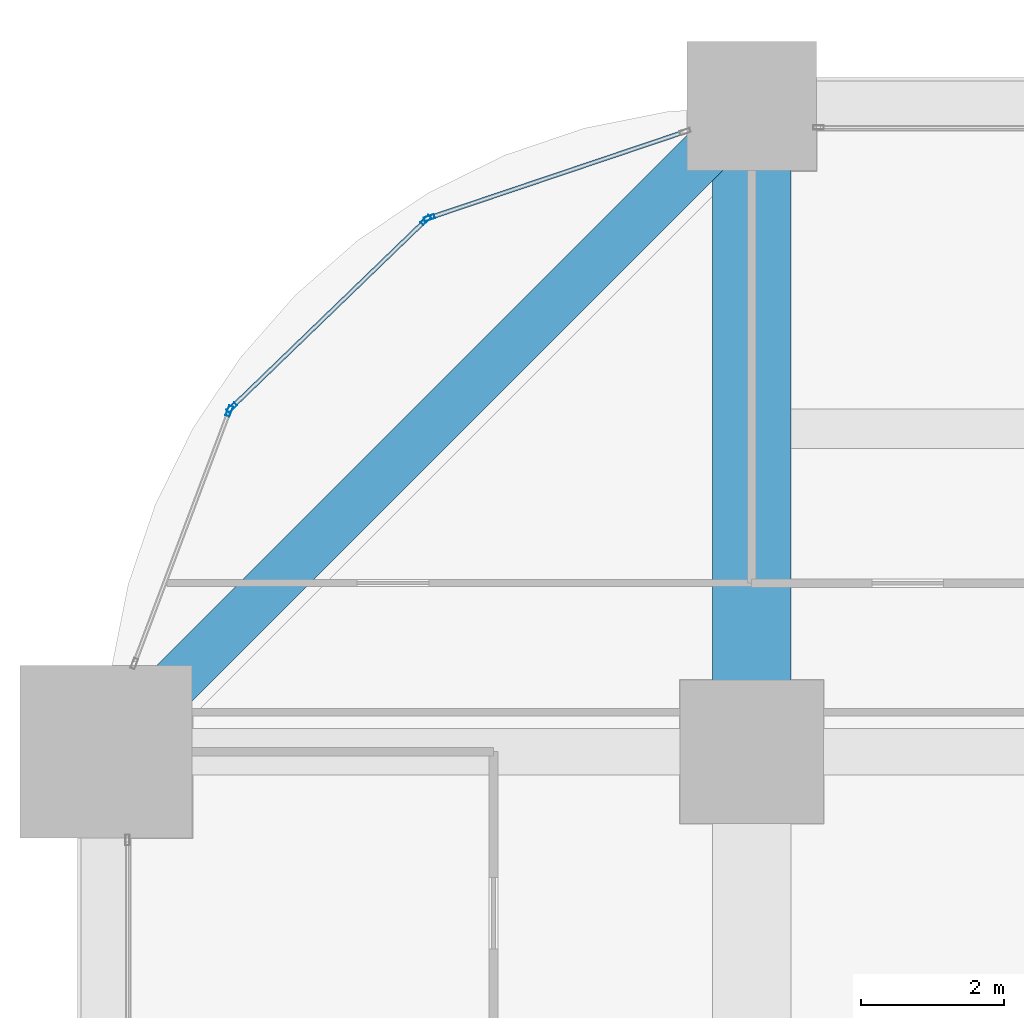
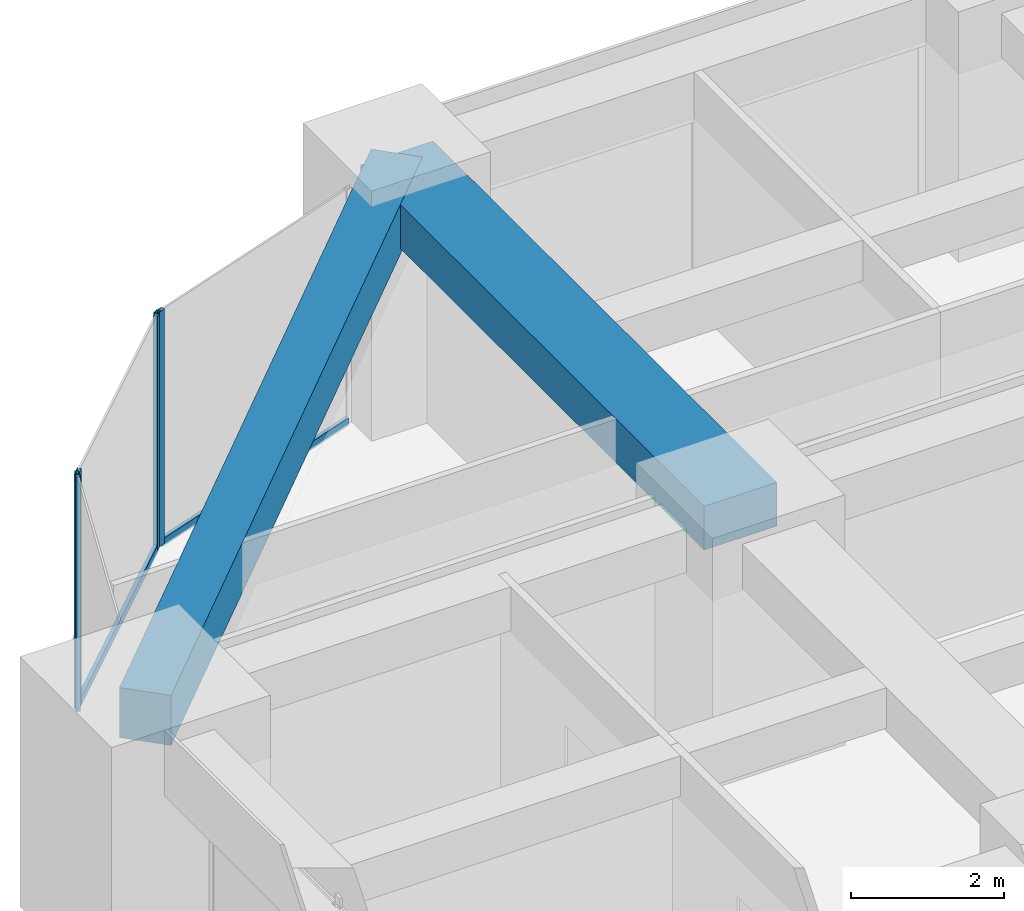
# One storey, part 26 of 41: 6 members, 2 beams, 3 elements without a shape of their own.
"""IFC4 building model written with IfcOpenShell, lengths in metres."""

import ifcopenshell
import ifcopenshell.guid

model = None  # the IFC model being written
_history = None  # IfcOwnerHistory: only IFC2X3 demands one
_inside = {}  # id of a spatial element -> (the spatial element, [elements in it])
_under = {}  # id of a project, library or spatial element -> (it, [spatial elements below it])
_declared = {}  # id of a project -> (the project, [libraries it declares])
_typed = {}  # id of a type object -> (the type object, [elements of that type])
_made_of = {}  # id of a material, layer set ... -> (it, [elements and type objects made of it])


def new_model(schema):
    """Start an empty IFC model of exactly this schema.

    Asked for "IFC4X3", IfcOpenShell would pick the latest addendum, in which some entities
    have other attributes; the version numbers below select the first issue.
    IFC2X3 requires an IfcOwnerHistory on every rooted entity: one is made here for all.
    """
    global model, _history
    if schema == "IFC4X3":
        model = ifcopenshell.file(schema_version=(4, 3, 0, 0))
    else:
        model = ifcopenshell.file(schema=schema)
    _inside.clear()
    _under.clear()
    _declared.clear()
    _typed.clear()
    _made_of.clear()
    _history = None
    if model.schema == "IFC2X3":
        org = make("IfcOrganization", Name="unknown")
        user = make(
            "IfcPersonAndOrganization",
            ThePerson=make("IfcPerson", FamilyName="unknown"),
            TheOrganization=org,
        )
        app = make(
            "IfcApplication",
            ApplicationDeveloper=org,
            Version="unknown",
            ApplicationFullName="unknown",
            ApplicationIdentifier="unknown",
        )
        _history = make(
            "IfcOwnerHistory",
            OwningUser=user,
            OwningApplication=app,
            ChangeAction="ADDED",
            CreationDate=0,
        )
    return model


def make(cls, **values):
    """One entity of the class cls with the attributes given. An attribute that is None is left unset."""
    return model.create_entity(
        cls, **{name: value for name, value in values.items() if value is not None}
    )


def rooted(cls, **values):
    """An entity with a GlobalId (a new one), such as an element, a storey or a relation."""
    return make(cls, GlobalId=ifcopenshell.guid.new(), OwnerHistory=_history, **values)


def si_unit(unit_type, name, prefix=None):
    """IfcSIUnit, for example si_unit("LENGTHUNIT", "METRE", prefix="MILLI")."""
    return make("IfcSIUnit", UnitType=unit_type, Prefix=prefix, Name=name)


def assignment(units):
    """IfcUnitAssignment: the units of a project."""
    return None if units is None else make("IfcUnitAssignment", Units=units)


def point(xyz):
    """IfcCartesianPoint."""
    return None if xyz is None else make("IfcCartesianPoint", Coordinates=xyz)


def direction(xyz):
    """IfcDirection."""
    return None if xyz is None else make("IfcDirection", DirectionRatios=xyz)


def frame(location, z_axis=None, x_axis=None):
    """IfcAxis2Placement3D, a coordinate frame: its origin and axes. An axis left out is left unset."""
    return make(
        "IfcAxis2Placement3D",
        Location=point(location),
        Axis=direction(z_axis),
        RefDirection=direction(x_axis),
    )


def frame_2d(location, x_axis=None):
    """IfcAxis2Placement2D, a coordinate frame in the plane: its origin and x axis."""
    return make(
        "IfcAxis2Placement2D", Location=point(location), RefDirection=direction(x_axis)
    )


def origin():
    """The frame at (0, 0, 0) with its axes left unset."""
    return frame((0.0, 0.0, 0.0))


def origin_2d():
    """The frame at (0, 0) in the plane with its x axis left unset."""
    return frame_2d((0.0, 0.0))


def place(relative_to, where):
    """IfcLocalPlacement: puts the frame where relative to a parent placement (None: the world)."""
    return make(
        "IfcLocalPlacement", PlacementRelTo=relative_to, RelativePlacement=where
    )


def context(
    kind, dimensions, precision=None, world=None, true_north=None, identifier=None
):
    """IfcGeometricRepresentationContext, for example the 3D "Model" context."""
    return make(
        "IfcGeometricRepresentationContext",
        ContextIdentifier=identifier,
        ContextType=kind,
        CoordinateSpaceDimension=dimensions,
        Precision=precision,
        WorldCoordinateSystem=world,
        TrueNorth=true_north,
    )


def subcontext(parent, identifier, kind, view, scale=None):
    """IfcGeometricRepresentationSubContext, for example "Body" below "Model"."""
    return make(
        "IfcGeometricRepresentationSubContext",
        ContextIdentifier=identifier,
        ContextType=kind,
        ParentContext=parent,
        TargetScale=scale,
        TargetView=view,
    )


def project(units=None, contexts=None):
    """IfcProject with its units and contexts."""
    return rooted(
        "IfcProject",
        Name="project",
        RepresentationContexts=contexts,
        UnitsInContext=assignment(units),
    )


def spatial(cls, under=None, at=None, **own):
    """A site, building, storey or space (cls), placed at a placement, below another one or the project."""
    s = rooted(cls, ObjectPlacement=at, **own)
    if under is not None:
        _under.setdefault(under.id(), (under, []))[1].append(s)
    return s


def profile(cls, at=None, kind="AREA", **sizes):
    """A parametric profile (cls). Its sizes go by their IFC names, for example OverallWidth=200.0."""
    return make(cls, ProfileType=kind, Position=at, **sizes)


def rectangle(**sizes):
    """IfcRectangleProfileDef."""
    return profile("IfcRectangleProfileDef", **sizes)


def hollow_rectangle(**sizes):
    """IfcRectangleHollowProfileDef."""
    return profile("IfcRectangleHollowProfileDef", **sizes)


def extrude(swept, where, along, depth):
    """IfcExtrudedAreaSolid: the profile swept, set in the frame where, extruded along a direction by depth."""
    return make(
        "IfcExtrudedAreaSolid",
        SweptArea=swept,
        Position=where,
        ExtrudedDirection=direction(along),
        Depth=depth,
    )


def shape(context_of_items, identifier, shape_type, items):
    """IfcShapeRepresentation: the items that make up one representation, for example the "Body"."""
    return make(
        "IfcShapeRepresentation",
        ContextOfItems=context_of_items,
        RepresentationIdentifier=identifier,
        RepresentationType=shape_type,
        Items=items,
    )


def material(Name=None, Category=None):
    """IfcMaterial."""
    return make("IfcMaterial", Name=Name, Category=Category)


def material_profile(
    of_material, cross_section, Name=None, Category=None, Priority=None
):
    """IfcMaterialProfile: a cross section and its material."""
    return make(
        "IfcMaterialProfile",
        Name=Name,
        Material=of_material,
        Profile=cross_section,
        Priority=Priority,
        Category=Category,
    )


def profile_set(profiles, Name=None, composite=None):
    """IfcMaterialProfileSet."""
    return make(
        "IfcMaterialProfileSet",
        Name=Name,
        MaterialProfiles=profiles,
        CompositeProfile=composite,
    )


def made_of(thing, what):
    """Note that an element or type object is made of a material, layer set ...; save() writes the relation."""
    if what is not None:
        _made_of.setdefault(what.id(), (what, []))[1].append(thing)
    return thing


def type_object(cls, material=None, **own):
    """A type object (cls), such as IfcWallType, which elements share."""
    return made_of(rooted(cls, **own), material)


def element(
    cls,
    number,
    at=None,
    inside=None,
    cuts=None,
    type_object=None,
    material=None,
    context=None,
    identifier="Body",
    shape_type=None,
    held_by="IfcProductDefinitionShape",
    body=None,
    shapes=None,
    **own,
):
    """One element of the class cls, such as IfcWall. Its Tag is "e" and its number.

    at: its placement. inside: the storey or other place that contains it. cuts: it is an
    opening in that element (IfcRelVoidsElement). A single representation is given by context,
    identifier, shape_type and body (its items); several are given by shapes. held_by: the class
    of the entity that holds the representations. save() writes the other relations.
    """
    e = rooted(cls, Tag="e%d" % number, ObjectPlacement=at, **own)
    if body is not None:
        shapes = [shape(context, identifier, shape_type, body)]
    if shapes is not None:
        e.Representation = make(held_by, Representations=shapes)
    if inside is not None:
        _inside.setdefault(inside.id(), (inside, []))[1].append(e)
    if cuts is not None:
        rooted(
            "IfcRelVoidsElement", RelatingBuildingElement=cuts, RelatedOpeningElement=e
        )
    if type_object is not None:
        _typed.setdefault(type_object.id(), (type_object, []))[1].append(e)
    return made_of(e, material)


def aggregate(whole, parts):
    """IfcRelAggregates: a whole, such as a stair, and the parts it consists of."""
    return rooted("IfcRelAggregates", RelatingObject=whole, RelatedObjects=parts)


def save(model, path):
    """Write the relations noted so far, then the file.

    IfcRelAggregates (storeys below a building ...), IfcRelContainedInSpatialStructure (elements
    in a storey), IfcRelDefinesByType, IfcRelAssociatesMaterial and IfcRelDeclares: one each for
    every whole, place, type object, material and project.
    """
    for whole, parts in _under.values():
        aggregate(whole, parts)
    for where, things in _inside.values():
        rooted(
            "IfcRelContainedInSpatialStructure",
            RelatedElements=things,
            RelatingStructure=where,
        )
    for kind, things in _typed.values():
        rooted("IfcRelDefinesByType", RelatedObjects=things, RelatingType=kind)
    for what, things in _made_of.values():
        rooted("IfcRelAssociatesMaterial", RelatedObjects=things, RelatingMaterial=what)
    for by, libraries in _declared.values():
        rooted("IfcRelDeclares", RelatingContext=by, RelatedDefinitions=libraries)
    model.write(path)


model = new_model("IFC4")

# Units and contexts
model_context = context("Model", 3, precision=1e-05, world=origin(), true_north=direction((0.0, 1.0)))
body_context = subcontext(model_context, "Body", "Model", "MODEL_VIEW")
ifc_project = project(units=[si_unit("LENGTHUNIT", "METRE"), si_unit("AREAUNIT", "SQUARE_METRE"), si_unit("VOLUMEUNIT", "CUBIC_METRE"), si_unit("PLANEANGLEUNIT", "RADIAN"), si_unit("MASSUNIT", "GRAM", prefix="KILO")], contexts=[model_context])

# Site, building, storey
site_placement = place(None, origin())
site = spatial("IfcSite", under=ifc_project, at=site_placement, CompositionType="ELEMENT")
building_placement = place(site_placement, origin())
building = spatial("IfcBuilding", under=site, at=building_placement, Name="Zorevar Civic Tower", CompositionType="ELEMENT")
storey_placement = place(building_placement, frame((0.0, 0.0, 109.0)))
storey = spatial("IfcBuildingStorey", under=building, at=storey_placement, Name="L26", CompositionType="ELEMENT", Elevation=109.0)

# Beam
ifc_material_1 = material(Name="Concrete C50/60", Category="concrete")
ifc_material_profile_1 = material_profile(ifc_material_1, rectangle(XDim=1.10009765625, YDim=0.699951171875, at=origin_2d()), Name="RC 1100x700")
ifc_profile_set_1 = profile_set([ifc_material_profile_1], Name="Concrete C50/60")
beam_type_1 = type_object("IfcBeamType", Name="Beam RC 1100x700", PredefinedType="BEAM", material=ifc_profile_set_1)
beam_1_placement = place(storey_placement, frame((9.0, 36.0, 3.39990234375), z_axis=(0.0, 1.0, 0.0), x_axis=(-1.0, 0.0, 0.0)))
element("IfcBeam", 1, at=beam_1_placement, inside=storey, type_object=beam_type_1, Name="Girder L27", PredefinedType="BEAM", context=body_context, shape_type="SweptSolid", body=[
    extrude(rectangle(XDim=1.10009765625, YDim=0.699951171875, at=origin_2d()), origin(), (0.0, 0.0, 1.0), 9.0),
])

# Curtain wall, member
ifc_material_2 = material(Name="Dark grey solar-control glass in black aluminium frame", Category="aluminium")
curtain_wall_type = type_object("IfcCurtainWallType", Name="Curtain wall CW3 mid zone", PredefinedType="NOTDEFINED", material=ifc_material_2)
curtain_wall_1_placement = place(storey_placement, origin())
curtain_wall_1 = element("IfcCurtainWall", 2, at=curtain_wall_1_placement, inside=storey, type_object=curtain_wall_type, Name="CW3 L26", PredefinedType="NOTDEFINED")
ifc_material_3 = material(Name="Aluminium, black anodised", Category="aluminium")
ifc_material_profile_2 = material_profile(ifc_material_3, hollow_rectangle(XDim=0.06005859375, YDim=0.14990234375, WallThickness=0.00390625, at=origin_2d()), Name="AL 150x60x4")
ifc_profile_set_2 = profile_set([ifc_material_profile_2], Name="Aluminium, black anodised")
member_type_1 = type_object("IfcMemberType", Name="CW3 mullion AL 150x60x4", PredefinedType="MULLION", material=ifc_profile_set_2)
member_1_placement = place(storey_placement, frame((4.506591796875, 43.442138671875, 0.0), z_axis=(0.0, 0.0, 1.0), x_axis=(0.319412525043, -0.947615765406, 0.0)))
member_1 = element("IfcMember", 3, at=member_1_placement, type_object=member_type_1, Name="CW3 mullion 2", PredefinedType="MULLION", context=body_context, shape_type="SweptSolid", body=[
    extrude(hollow_rectangle(XDim=0.06005859375, YDim=0.14990234375, WallThickness=0.00390625, at=origin_2d()), origin(), (0.0, 0.0, 1.0), 3.75),
])

# Curtain wall, members
curtain_wall_2_placement = place(storey_placement, origin())
curtain_wall_2 = element("IfcCurtainWall", 4, at=curtain_wall_2_placement, inside=storey, type_object=curtain_wall_type, Name="CW3 L26", PredefinedType="NOTDEFINED")
member_2_placement = place(storey_placement, frame((4.45654296875, 43.41162109375, 0.0), z_axis=(0.0, 0.0, 1.0), x_axis=(0.694719089155, -0.719281160023, 0.0)))
member_2 = element("IfcMember", 5, at=member_2_placement, type_object=member_type_1, Name="CW3 mullion 1", PredefinedType="MULLION", context=body_context, shape_type="SweptSolid", body=[
    extrude(hollow_rectangle(XDim=0.06005859375, YDim=0.14990234375, WallThickness=0.00390625, at=origin_2d()), origin(), (0.0, 0.0, 1.0), 3.75),
])
member_3_placement = place(storey_placement, frame((1.750732421875, 40.798095703125, 0.0), z_axis=(0.0, 0.0, 1.0), x_axis=(0.694719089155, -0.719281160023, 0.0)))
member_3 = element("IfcMember", 6, at=member_3_placement, type_object=member_type_1, Name="CW3 mullion 2", PredefinedType="MULLION", context=body_context, shape_type="SweptSolid", body=[
    extrude(hollow_rectangle(XDim=0.06005859375, YDim=0.14990234375, WallThickness=0.00390625, at=origin_2d()), origin(), (0.0, 0.0, 1.0), 3.75),
])

# Curtain wall, member
curtain_wall_3_placement = place(storey_placement, origin())
curtain_wall_3 = element("IfcCurtainWall", 7, at=curtain_wall_3_placement, inside=storey, type_object=curtain_wall_type, Name="CW3 L26", PredefinedType="NOTDEFINED")
member_4_placement = place(storey_placement, frame((1.718505859375, 40.749267578125, 0.0), z_axis=(0.0, 0.0, 1.0), x_axis=(0.935950528564, -0.352131520999, 0.0)))
member_4 = element("IfcMember", 8, at=member_4_placement, type_object=member_type_1, Name="CW3 mullion 1", PredefinedType="MULLION", context=body_context, shape_type="SweptSolid", body=[
    extrude(hollow_rectangle(XDim=0.06005859375, YDim=0.14990234375, WallThickness=0.00390625, at=origin_2d()), origin(), (0.0, 0.0, 1.0), 3.75),
])
aggregate(curtain_wall_3, [member_4])

# Member
ifc_material_4 = material(Name="Aluminium, black anodised", Category="aluminium")
ifc_material_profile_3 = material_profile(ifc_material_4, hollow_rectangle(XDim=0.06005859375, YDim=0.1201171875, WallThickness=0.0029296875, at=origin_2d()), Name="AL 120x60x3")
ifc_profile_set_3 = profile_set([ifc_material_profile_3], Name="Aluminium, black anodised")
member_type_2 = type_object("IfcMemberType", Name="CW3 transom AL 120x60x3", PredefinedType="USERDEFINED", material=ifc_profile_set_3)
member_5_placement = place(storey_placement, frame((8.043212890625, 44.634033203125, 0.030029296875), z_axis=(-0.9476295577, -0.319371603893, 0.0), x_axis=(0.319371603893, -0.9476295577, 0.0)))
member_5 = element("IfcMember", 9, at=member_5_placement, type_object=member_type_2, Name="CW3 sill transom", ObjectType="TRANSOM", PredefinedType="USERDEFINED", context=body_context, shape_type="SweptSolid", body=[
    extrude(hollow_rectangle(XDim=0.06005859375, YDim=0.1201171875, WallThickness=0.0029296875, at=origin_2d()), origin(), (0.0, 0.0, 1.0), 3.7021484375),
])

aggregate(curtain_wall_1, [member_1, member_5])

member_6_placement = place(storey_placement, frame((4.43505859375, 43.390869140625, 0.030029296875), z_axis=(-0.719266228526, -0.694734548228, 0.0), x_axis=(0.694734548228, -0.719266228526, 0.0)))
member_6 = element("IfcMember", 10, at=member_6_placement, type_object=member_type_2, Name="CW3 sill transom", ObjectType="TRANSOM", PredefinedType="USERDEFINED", context=body_context, shape_type="SweptSolid", body=[
    extrude(hollow_rectangle(XDim=0.06005859375, YDim=0.1201171875, WallThickness=0.0029296875, at=origin_2d()), origin(), (0.0, 0.0, 1.0), 3.7021484375),
])

aggregate(curtain_wall_2, [member_2, member_3, member_6])

# Beam
ifc_material_5 = material(Name="Concrete C50/60", Category="concrete")
ifc_material_profile_4 = material_profile(ifc_material_5, rectangle(XDim=0.699951171875, YDim=0.800048828125, at=origin_2d()), Name="RC 700x800")
ifc_profile_set_4 = profile_set([ifc_material_profile_4], Name="Concrete C50/60")
beam_type_2 = type_object("IfcBeamType", Name="Edge beam RC 700x800", PredefinedType="SPANDREL", material=ifc_profile_set_4)
beam_2_placement = place(storey_placement, frame((9.0, 45.0, 3.35009765625), z_axis=(-0.707106781187, -0.707106781187, 0.0), x_axis=(0.707106781187, -0.707106781187, 0.0)))
element("IfcBeam", 11, at=beam_2_placement, inside=storey, type_object=beam_type_2, Name="Corner edge beam L27", PredefinedType="SPANDREL", context=body_context, shape_type="SweptSolid", body=[
    extrude(rectangle(XDim=0.699951171875, YDim=0.800048828125, at=origin_2d()), origin(), (0.0, 0.0, 1.0), 12.72802734375),
])

save(model, "model.ifc")
